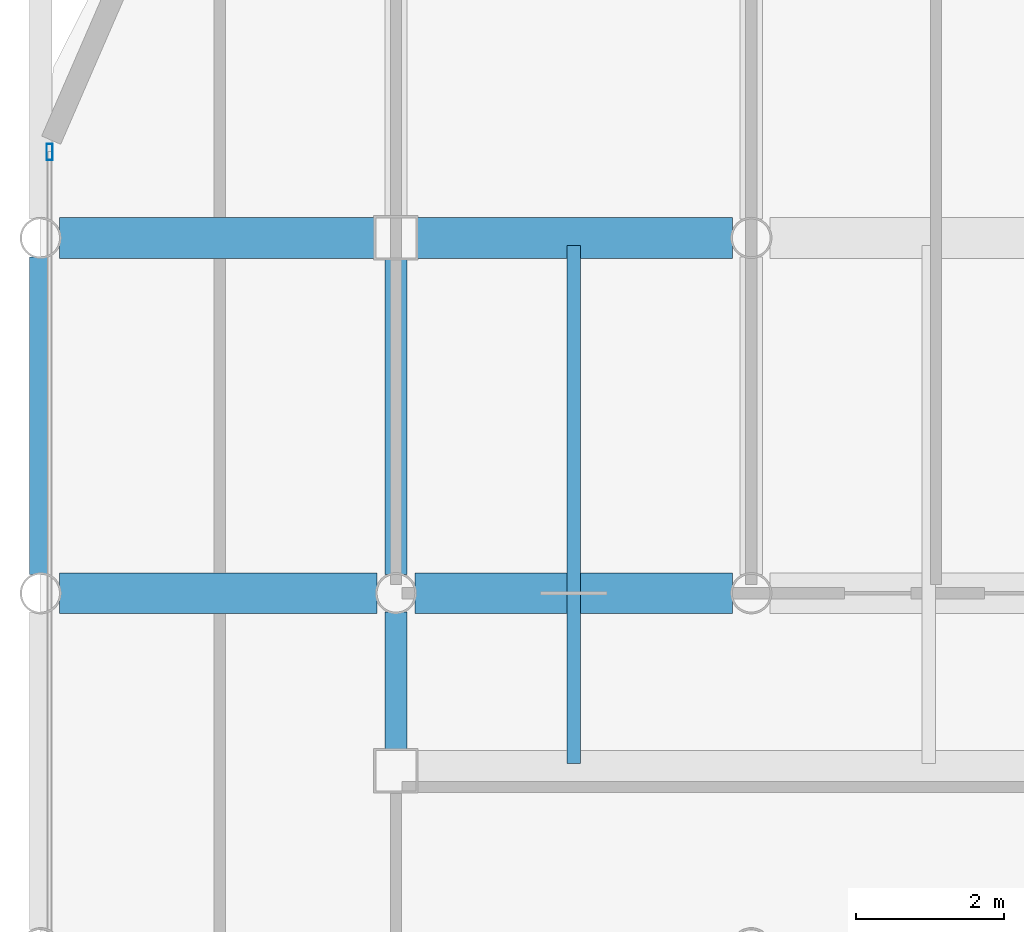
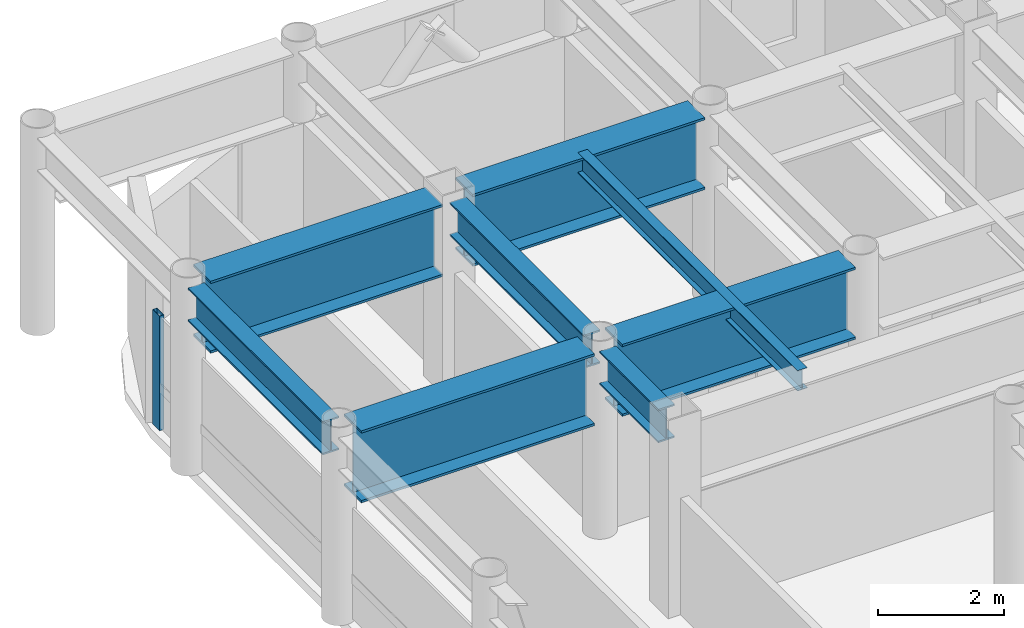
# One storey, part 11 of 22: 8 beams, 1 member, 1 element without a shape of its own.
"""IFC4 building model written with IfcOpenShell, lengths in metres."""

from ifc_helpers import new_model, si_unit, direction, frame, origin, origin_2d, place, context, subcontext, project, spatial, hollow_rectangle, i_section, extrude, material, layer, layer_set, material_profile, profile_set, type_object, element, aggregate, save


model = new_model("IFC4")

# Units and contexts
model_context = context("Model", 3, precision=1e-05, world=origin(), true_north=direction((0.0, 1.0)))
body_context = subcontext(model_context, "Body", "Model", "MODEL_VIEW")
ifc_project = project(units=[si_unit("LENGTHUNIT", "METRE"), si_unit("AREAUNIT", "SQUARE_METRE"), si_unit("VOLUMEUNIT", "CUBIC_METRE"), si_unit("PLANEANGLEUNIT", "RADIAN"), si_unit("MASSUNIT", "GRAM", prefix="KILO")], contexts=[model_context])

# Site, building, storey
site_placement = place(None, origin())
site = spatial("IfcSite", under=ifc_project, at=site_placement, CompositionType="ELEMENT")
building_placement = place(site_placement, origin())
building = spatial("IfcBuilding", under=site, at=building_placement, Name="Kallvorn Hotel Tower", CompositionType="ELEMENT")
storey_placement = place(building_placement, frame((0.0, 0.0, 191.5)))
storey = spatial("IfcBuildingStorey", under=building, at=storey_placement, Name="L47", CompositionType="ELEMENT", Elevation=191.5)

# Beams
ifc_material_1 = material(Name="Structural steel S355JR", Category="steel")
ifc_material_profile_1 = material_profile(ifc_material_1, i_section(OverallWidth=0.300048828125, OverallDepth=0.64990234375, WebThickness=0.01611328125, FlangeThickness=0.031005859375, at=origin_2d()), Name="HE 650 B")
ifc_profile_set_1 = profile_set([ifc_material_profile_1], Name="Structural steel S355JR")
beam_type_1 = type_object("IfcBeamType", Name="BM_HE650B", PredefinedType="BEAM", material=ifc_profile_set_1)
beam_1_placement = place(storey_placement, frame((-28.800048828125, 9.8544921875, 3.344970703125), z_axis=(0.0, 1.0, 0.0), x_axis=(-1.0, 0.0, 0.0)))
element("IfcBeam", 1, at=beam_1_placement, inside=storey, type_object=beam_type_1, Name="L48 Primary Y-Girder 79", PredefinedType="BEAM", context=body_context, shape_type="SweptSolid", body=[
    extrude(i_section(OverallWidth=0.300048828125, OverallDepth=0.64990234375, WebThickness=0.01611328125, FlangeThickness=0.031005859375, at=origin_2d()), origin(), (0.0, 0.0, 1.0), 4.291015625),
])
beam_2_placement = place(storey_placement, frame((-24.0, 7.47509765625, 3.344970703125), z_axis=(0.0, 1.0, 0.0), x_axis=(-1.0, 0.0, 0.0)))
element("IfcBeam", 2, at=beam_2_placement, inside=storey, type_object=beam_type_1, Name="L48 Primary Y-Girder 85", PredefinedType="BEAM", context=body_context, shape_type="SweptSolid", body=[
    extrude(i_section(OverallWidth=0.300048828125, OverallDepth=0.64990234375, WebThickness=0.01611328125, FlangeThickness=0.031005859375, at=origin_2d()), origin(), (0.0, 0.0, 1.0), 1.870361328125),
])
beam_3_placement = place(storey_placement, frame((-24.0, 9.8544921875, 3.344970703125), z_axis=(0.0, 1.0, 0.0), x_axis=(-1.0, 0.0, 0.0)))
element("IfcBeam", 3, at=beam_3_placement, inside=storey, type_object=beam_type_1, Name="L48 Primary Y-Girder 86", PredefinedType="BEAM", context=body_context, shape_type="SweptSolid", body=[
    extrude(i_section(OverallWidth=0.300048828125, OverallDepth=0.64990234375, WebThickness=0.01611328125, FlangeThickness=0.031005859375, at=origin_2d()), origin(), (0.0, 0.0, 1.0), 4.2705078125),
])
ifc_material_2 = material(Name="Structural steel S355JR", Category="steel")
ifc_material_profile_2 = material_profile(ifc_material_2, i_section(OverallWidth=0.179931640625, OverallDepth=0.39990234375, WebThickness=0.008544921875, FlangeThickness=0.013427734375, at=origin_2d()), Name="IPE 400")
ifc_profile_set_2 = profile_set([ifc_material_profile_2], Name="Structural steel S355JR")
beam_type_2 = type_object("IfcBeamType", Name="BM_IPE400", PredefinedType="JOIST", material=ifc_profile_set_2)
beam_4_placement = place(storey_placement, frame((-21.60009765625, 7.300048828125, 3.469970703125), z_axis=(0.0, 1.0, 0.0), x_axis=(-1.0, 0.0, 0.0)))
element("IfcBeam", 4, at=beam_4_placement, inside=storey, type_object=beam_type_2, Name="L48 Secondary Composite Joist 193", PredefinedType="JOIST", context=body_context, shape_type="SweptSolid", body=[
    extrude(i_section(OverallWidth=0.179931640625, OverallDepth=0.39990234375, WebThickness=0.008544921875, FlangeThickness=0.013427734375, at=origin_2d()), origin(), (0.0, 0.0, 1.0), 7.0),
])
ifc_material_3 = material(Name="Structural steel S355JR", Category="steel")
ifc_material_profile_3 = material_profile(ifc_material_3, i_section(OverallWidth=0.550048828125, OverallDepth=1.39990234375, WebThickness=0.02490234375, FlangeThickness=0.044921875, at=origin_2d()), Name="PG 1400x550x25x45")
ifc_profile_set_3 = profile_set([ifc_material_profile_3], Name="Structural steel S355JR")
beam_type_3 = type_object("IfcBeamType", Name="BM_PG_1400", PredefinedType="BEAM", material=ifc_profile_set_3)
for number, where, z_axis, x_axis, name in (
    (5, (-28.54541015625, 9.60009765625, 2.969970703125), (1.0, 0.0, 0.0), (0.0, 1.0, 0.0), "L48 Primary X-Girder 42"),
    (6, (-23.74560546875, 9.60009765625, 2.969970703125), (1.0, 0.0, 0.0), (0.0, 1.0, 0.0), "L48 Primary X-Girder 43"),
):
    element("IfcBeam", number, at=place(storey_placement, frame(where, z_axis=z_axis, x_axis=x_axis)), inside=storey, type_object=beam_type_3, Name=name, PredefinedType="BEAM", context=body_context, shape_type="SweptSolid", body=[
        extrude(i_section(OverallWidth=0.550048828125, OverallDepth=1.39990234375, WebThickness=0.02490234375, FlangeThickness=0.044921875, at=origin_2d()), origin(), (0.0, 0.0, 1.0), 4.291015625),
    ])
for number, where, z_axis, x_axis, name in (
    (7, (-28.54541015625, 14.39990234375, 2.969970703125), (1.0, 0.0, 0.0), (0.0, 1.0, 0.0), "L48 Primary X-Girder 51"),
    (8, (-23.72509765625, 14.39990234375, 2.969970703125), (1.0, 0.0, 0.0), (0.0, 1.0, 0.0), "L48 Primary X-Girder 52"),
):
    element("IfcBeam", number, at=place(storey_placement, frame(where, z_axis=z_axis, x_axis=x_axis)), inside=storey, type_object=beam_type_3, Name=name, PredefinedType="BEAM", context=body_context, shape_type="SweptSolid", body=[
        extrude(i_section(OverallWidth=0.550048828125, OverallDepth=1.39990234375, WebThickness=0.02490234375, FlangeThickness=0.044921875, at=origin_2d()), origin(), (0.0, 0.0, 1.0), 4.2705078125),
    ])

# Curtain wall, member
ifc_material_4 = material(Name="Thermally broken black-anodised aluminium AA 6063-T6", Category="aluminium")
ifc_layer = layer(ifc_material_4, 0.22998046875)
ifc_layer_set = layer_set([ifc_layer], Name="CW_SYS_5_HOTEL_HIGH")
curtain_wall_type = type_object("IfcCurtainWallType", Name="CW_SYS_5_HOTEL_HIGH", PredefinedType="USERDEFINED", material=ifc_layer_set)
curtain_wall_placement = place(storey_placement, origin())
curtain_wall = element("IfcCurtainWall", 9, at=curtain_wall_placement, inside=storey, type_object=curtain_wall_type, Name="L47 Dark-Glass Curtain Wall CW-L47-WN", ObjectType="UNITISED CURTAIN WALL", PredefinedType="USERDEFINED")
ifc_material_5 = material(Name="Thermally broken black-anodised aluminium AA 6063-T6", Category="aluminium")
ifc_material_profile_4 = material_profile(ifc_material_5, hollow_rectangle(XDim=0.080078125, YDim=0.219970703125, WallThickness=0.0048828125, at=origin_2d()), Name="MUL 220x80")
ifc_profile_set_4 = profile_set([ifc_material_profile_4], Name="Thermally broken black-anodised aluminium AA 6063-T6")
member_type = type_object("IfcMemberType", Name="CW_MULLION_220x80", PredefinedType="MULLION", material=ifc_profile_set_4)
member_placement = place(storey_placement, frame((-28.679931640625, 15.56005859375, 0.02001953125), z_axis=(0.0, 0.0, 1.0), x_axis=(1.0, 0.0, 0.0)))
member = element("IfcMember", 10, at=member_placement, type_object=member_type, Name="CW-L47-WN Mullion 01", PredefinedType="MULLION", context=body_context, shape_type="SweptSolid", body=[
    extrude(hollow_rectangle(XDim=0.080078125, YDim=0.219970703125, WallThickness=0.0048828125, at=origin_2d()), origin(), (0.0, 0.0, 1.0), 2.22998046875),
])
aggregate(curtain_wall, [member])

save(model, "model.ifc")
